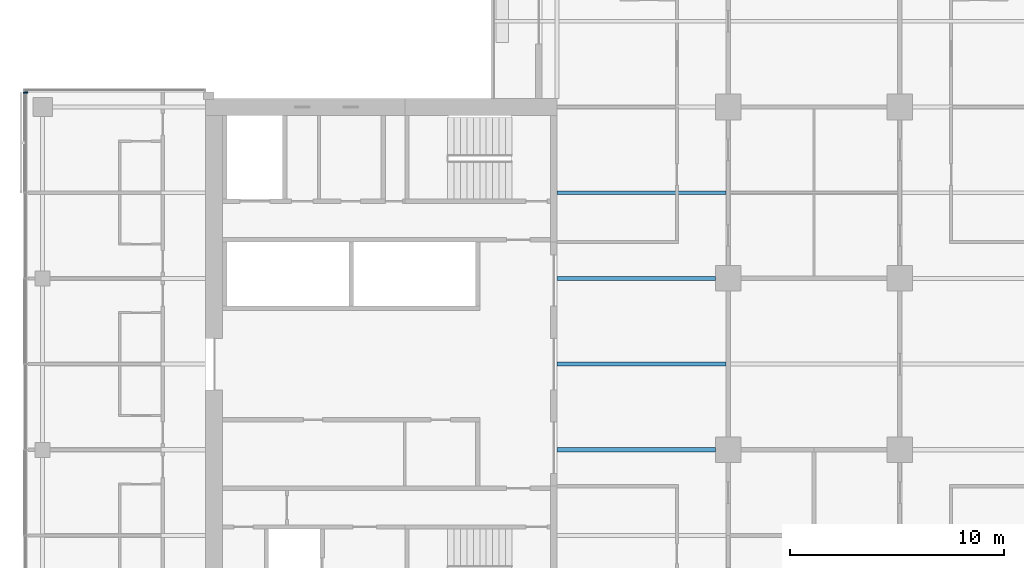
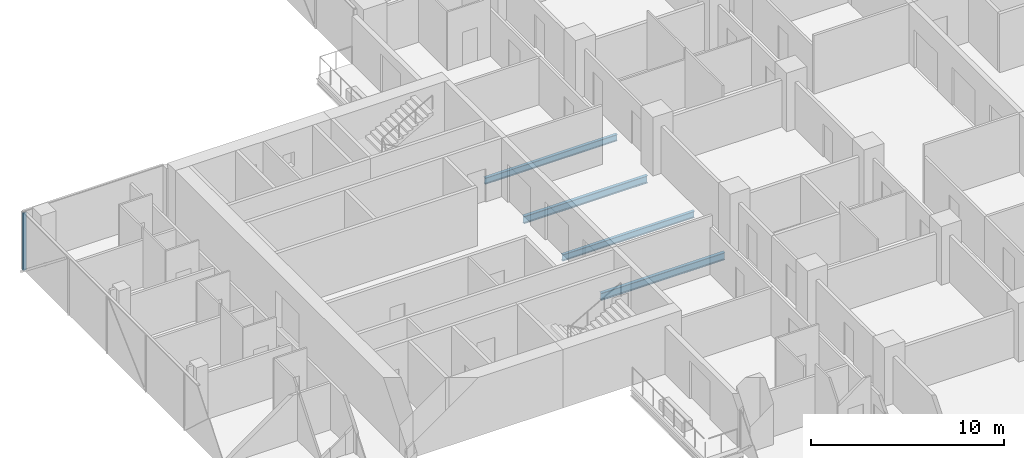
# One storey, part 7 of 29: 4 beams, 1 member, 1 element without a shape of its own.
"""IFC4 building model written with IfcOpenShell, lengths in metres."""

from ifc_helpers import new_model, si_unit, direction, frame, origin, origin_2d, place, context, subcontext, project, spatial, rectangle, i_section, extrude, material, material_profile, profile_set, type_object, element, aggregate, save


model = new_model("IFC4")

# Units and contexts
model_context = context("Model", 3, precision=1e-05, world=origin(), true_north=direction((0.0, 1.0)))
body_context = subcontext(model_context, "Body", "Model", "MODEL_VIEW")
ifc_project = project(units=[si_unit("LENGTHUNIT", "METRE"), si_unit("AREAUNIT", "SQUARE_METRE"), si_unit("VOLUMEUNIT", "CUBIC_METRE"), si_unit("PLANEANGLEUNIT", "RADIAN"), si_unit("MASSUNIT", "GRAM", prefix="KILO")], contexts=[model_context])

# Site, building, storey
site_placement = place(None, origin())
site = spatial("IfcSite", under=ifc_project, at=site_placement, CompositionType="ELEMENT")
building_placement = place(site_placement, origin())
building = spatial("IfcBuilding", under=site, at=building_placement, Name="Crosswind Convention Tower", CompositionType="ELEMENT")
storey_placement = place(building_placement, frame((0.0, 0.0, 60.89990234375)))
storey = spatial("IfcBuildingStorey", under=building, at=storey_placement, Name="L09", CompositionType="ELEMENT", Elevation=60.89990234375)

# Beams
ifc_material_1 = material(Name="Steel S355", Category="steel")
ifc_material_profile_1 = material_profile(ifc_material_1, i_section(OverallWidth=0.19189453125, OverallDepth=0.463623046875, WebThickness=0.010498046875, FlangeThickness=0.017578125, FilletRadius=0.01025390625, at=origin_2d()), Name="UB 457x191x90")
ifc_profile_set_1 = profile_set([ifc_material_profile_1], Name="Steel S355")
beam_type_1 = type_object("IfcBeamType", Name="Girder at core wall UB 457x191x90", PredefinedType="BEAM", material=ifc_profile_set_1)
for number, where, z_axis, x_axis, name in (
    (1, (113.0, 96.0, -0.51171875), (1.0, 0.0, 0.0), (0.0, 1.0, 0.0), "B24 L09 girder at core wall 4"),
    (2, (113.0, 104.0, -0.51171875), (1.0, 0.0, 0.0), (0.0, 1.0, 0.0), "B24 L09 girder at core wall 5"),
):
    element("IfcBeam", number, at=place(storey_placement, frame(where, z_axis=z_axis, x_axis=x_axis)), inside=storey, type_object=beam_type_1, Name=name, PredefinedType="BEAM", context=body_context, shape_type="SweptSolid", body=[
        extrude(i_section(OverallWidth=0.19189453125, OverallDepth=0.463623046875, WebThickness=0.010498046875, FlangeThickness=0.017578125, FilletRadius=0.01025390625, at=origin_2d()), origin(), (0.0, 0.0, 1.0), 7.39990234375),
    ])

# Curtain wall, member
ifc_material_2 = material(Name="Aluminium unitised curtain wall", Category="aluminium")
curtain_wall_type = type_object("IfcCurtainWallType", Name="HOTEL UNITISED WALL 200", PredefinedType="USERDEFINED", material=ifc_material_2)
curtain_wall_placement = place(storey_placement, origin())
curtain_wall = element("IfcCurtainWall", 3, at=curtain_wall_placement, inside=storey, type_object=curtain_wall_type, Name="CW2 L09 W-TIP 1", ObjectType="UNITISED", PredefinedType="USERDEFINED")
ifc_material_3 = material(Name="Aluminium mullion", Category="aluminium")
ifc_material_profile_2 = material_profile(ifc_material_3, rectangle(XDim=0.199951171875, YDim=0.06494140625, at=origin_2d()), Name="AL 200X65")
ifc_profile_set_2 = profile_set([ifc_material_profile_2], Name="Aluminium mullion")
member_type = type_object("IfcMemberType", Name="MULLION 65X200", PredefinedType="MULLION", material=ifc_profile_set_2)
member_placement = place(storey_placement, frame((88.199951171875, 112.66748046875, -0.27978515625), z_axis=(0.0, 0.0, 1.0), x_axis=(-1.0, 0.0, 0.0)))
member = element("IfcMember", 4, at=member_placement, type_object=member_type, Name="CW2 mullion 1", PredefinedType="MULLION", context=body_context, shape_type="SweptSolid", body=[
    extrude(rectangle(XDim=0.199951171875, YDim=0.06494140625, at=origin_2d()), origin(), (0.0, 0.0, 1.0), 3.634765625),
])
aggregate(curtain_wall, [member])

# Beams
ifc_material_profile_3 = material_profile(ifc_material_1, i_section(OverallWidth=0.177734375, OverallDepth=0.406494140625, WebThickness=0.0078125, FlangeThickness=0.0126953125, FilletRadius=0.01025390625, at=origin_2d()), Name="UB 406x178x60")
ifc_profile_set_3 = profile_set([ifc_material_profile_3], Name="Steel S355")
beam_type_2 = type_object("IfcBeamType", Name="Secondary beam UB 406x178x60", PredefinedType="JOIST", material=ifc_profile_set_3)
for number, where, z_axis, x_axis, name in (
    (5, (113.0, 100.0, -0.483154296875), (1.0, 0.0, 0.0), (0.0, 1.0, 0.0), "B10 L09 secondary beam 5"),
    (6, (113.0, 108.0, -0.483154296875), (1.0, 0.0, 0.0), (0.0, 1.0, 0.0), "B10 L09 secondary beam 6"),
):
    element("IfcBeam", number, at=place(storey_placement, frame(where, z_axis=z_axis, x_axis=x_axis)), inside=storey, type_object=beam_type_2, Name=name, PredefinedType="JOIST", context=body_context, shape_type="SweptSolid", body=[
        extrude(i_section(OverallWidth=0.177734375, OverallDepth=0.406494140625, WebThickness=0.0078125, FlangeThickness=0.0126953125, FilletRadius=0.01025390625, at=origin_2d()), origin(), (0.0, 0.0, 1.0), 7.904296875),
    ])

save(model, "model.ifc")
